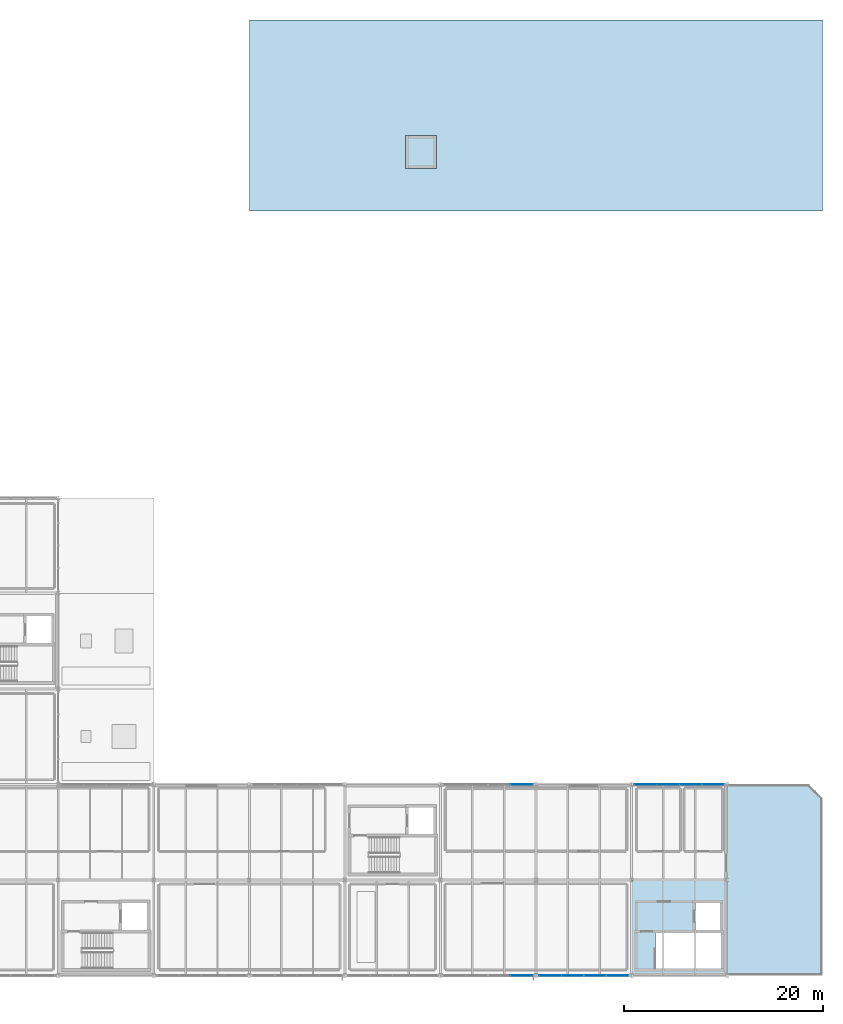
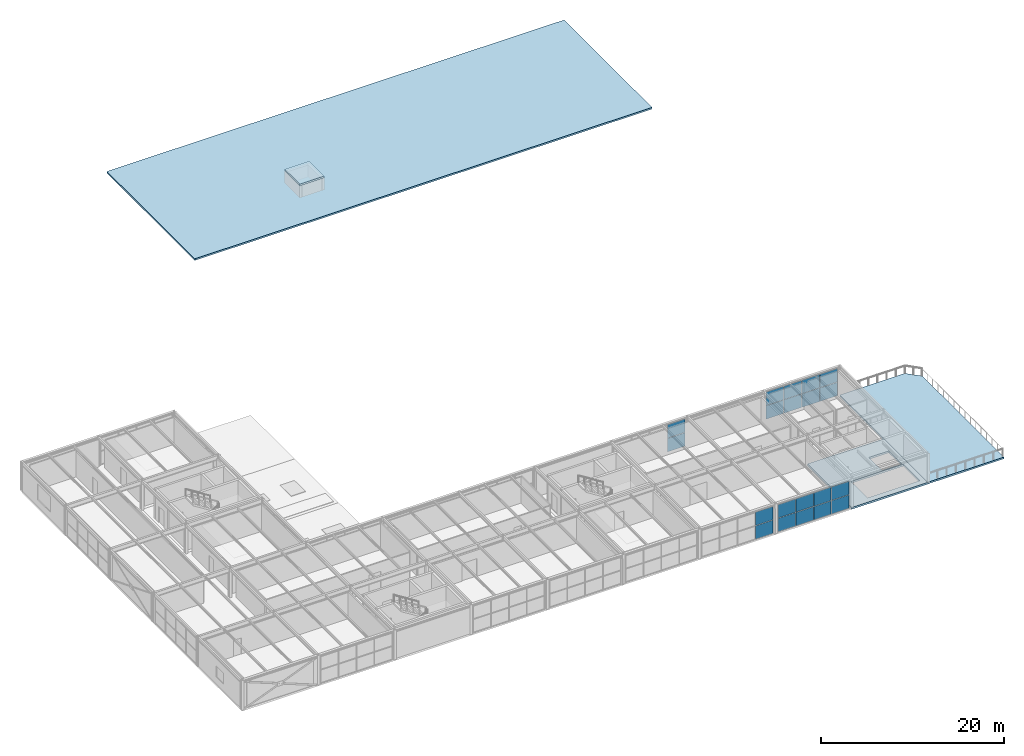
# One storey, part 40 of 50: 20 plates, 4 slabs, 4 elements without a shape of their own.
"""IFC4 building model written with IfcOpenShell, lengths in metres."""

from ifc_helpers import new_model, si_unit, direction, frame, origin, origin_2d, place, context, subcontext, project, spatial, polyline, rectangle, outline, extrude, material, layer, layer_set, type_object, element, aggregate, save


model = new_model("IFC4")

# Units and contexts
model_context = context("Model", 3, precision=1e-05, world=origin(), true_north=direction((0.0, 1.0)))
body_context = subcontext(model_context, "Body", "Model", "MODEL_VIEW")
ifc_project = project(units=[si_unit("LENGTHUNIT", "METRE"), si_unit("AREAUNIT", "SQUARE_METRE"), si_unit("VOLUMEUNIT", "CUBIC_METRE"), si_unit("PLANEANGLEUNIT", "RADIAN"), si_unit("MASSUNIT", "GRAM", prefix="KILO")], contexts=[model_context])

# Site, building, storey
site_placement = place(None, origin())
site = spatial("IfcSite", under=ifc_project, at=site_placement, CompositionType="ELEMENT")
building_placement = place(site_placement, origin())
building = spatial("IfcBuilding", under=site, at=building_placement, Name="Coralgate Yard Interchange", CompositionType="ELEMENT")
storey_placement = place(building_placement, frame((0.0, 0.0, 14.699951171875)))
storey = spatial("IfcBuildingStorey", under=building, at=storey_placement, Name="L03", CompositionType="ELEMENT", Elevation=14.699951171875)

# Curtain wall, plates
ifc_material_1 = material(Name="Anodised coastal aluminium and solar-control low-E glass", Category="aluminium")
curtain_wall_type = type_object("IfcCurtainWallType", Name="CW-CW-L03-A", PredefinedType="NOTDEFINED", material=ifc_material_1)
curtain_wall_1_placement = place(storey_placement, origin())
curtain_wall_1 = element("IfcCurtainWall", 1, at=curtain_wall_1_placement, inside=storey, type_object=curtain_wall_type, Name="L03 unitised curtain wall CW-L03-S-06-00", PredefinedType="NOTDEFINED")
ifc_material_2 = material(Name="Solar-control double-glazed low-E glass unit", Category="glass")
ifc_layer_1 = layer(ifc_material_2, 0.028076171875)
ifc_layer_set_1 = layer_set([ifc_layer_1], Name="Solar-control double-glazed low-E glass unit")
plate_type = type_object("IfcPlateType", Name="PLT-CP-28", PredefinedType="CURTAIN_PANEL", material=ifc_layer_set_1)
plate_1_placement = place(storey_placement, frame((65.77490234375, 0.0, 0.02490234375), z_axis=(0.0, 0.0, 1.0), x_axis=(-1.0, 0.0, 0.0)))
plate_1 = element("IfcPlate", 2, at=plate_1_placement, type_object=plate_type, Name="CW-L03-S-06-00 solar-control glazing panel 1-1", PredefinedType="CURTAIN_PANEL", context=body_context, shape_type="SweptSolid", body=[
    extrude(rectangle(XDim=2.199951171875, YDim=0.028076171875, at=origin_2d()), origin(), (0.0, 0.0, 1.0), 1.780029296875),
])
plate_2_placement = place(storey_placement, frame((65.77490234375, 0.0, 1.85498046875), z_axis=(0.0, 0.0, 1.0), x_axis=(-1.0, 0.0, 0.0)))
plate_2 = element("IfcPlate", 3, at=plate_2_placement, type_object=plate_type, Name="CW-L03-S-06-00 solar-control glazing panel 1-2", PredefinedType="CURTAIN_PANEL", context=body_context, shape_type="SweptSolid", body=[
    extrude(rectangle(XDim=2.199951171875, YDim=0.028076171875, at=origin_2d()), origin(), (0.0, 0.0, 1.0), 1.780029296875),
])
aggregate(curtain_wall_1, [plate_1, plate_2])

curtain_wall_2_placement = place(storey_placement, origin())
curtain_wall_2 = element("IfcCurtainWall", 4, at=curtain_wall_2_placement, inside=storey, type_object=curtain_wall_type, Name="L03 unitised curtain wall CW-L03-N-06-01", PredefinedType="NOTDEFINED")
plate_3_placement = place(storey_placement, frame((65.77490234375, 19.199951171875, 0.02490234375), z_axis=(0.0, 0.0, 1.0), x_axis=(1.0, 0.0, 0.0)))
plate_3 = element("IfcPlate", 5, at=plate_3_placement, type_object=plate_type, Name="CW-L03-N-06-01 solar-control glazing panel 4-1", PredefinedType="CURTAIN_PANEL", context=body_context, shape_type="SweptSolid", body=[
    extrude(rectangle(XDim=2.199951171875, YDim=0.028076171875, at=origin_2d()), origin(), (0.0, 0.0, 1.0), 1.780029296875),
])
plate_4_placement = place(storey_placement, frame((65.77490234375, 19.199951171875, 1.85498046875), z_axis=(0.0, 0.0, 1.0), x_axis=(1.0, 0.0, 0.0)))
plate_4 = element("IfcPlate", 6, at=plate_4_placement, type_object=plate_type, Name="CW-L03-N-06-01 solar-control glazing panel 4-2", PredefinedType="CURTAIN_PANEL", context=body_context, shape_type="SweptSolid", body=[
    extrude(rectangle(XDim=2.199951171875, YDim=0.028076171875, at=origin_2d()), origin(), (0.0, 0.0, 1.0), 1.780029296875),
])
aggregate(curtain_wall_2, [plate_3, plate_4])

curtain_wall_3_placement = place(storey_placement, origin())
curtain_wall_3 = element("IfcCurtainWall", 7, at=curtain_wall_3_placement, inside=storey, type_object=curtain_wall_type, Name="L03 unitised curtain wall CW-L03-S-07-00", PredefinedType="NOTDEFINED")
plate_5_placement = place(storey_placement, frame((75.375, 0.0, 0.02490234375), z_axis=(0.0, 0.0, 1.0), x_axis=(-1.0, 0.0, 0.0)))
plate_5 = element("IfcPlate", 8, at=plate_5_placement, type_object=plate_type, Name="CW-L03-S-07-00 solar-control glazing panel 1-1", PredefinedType="CURTAIN_PANEL", context=body_context, shape_type="SweptSolid", body=[
    extrude(rectangle(XDim=2.199951171875, YDim=0.028076171875, at=origin_2d()), origin(), (0.0, 0.0, 1.0), 1.780029296875),
])
plate_6_placement = place(storey_placement, frame((75.375, 0.0, 1.85498046875), z_axis=(0.0, 0.0, 1.0), x_axis=(-1.0, 0.0, 0.0)))
plate_6 = element("IfcPlate", 9, at=plate_6_placement, type_object=plate_type, Name="CW-L03-S-07-00 solar-control glazing panel 1-2", PredefinedType="CURTAIN_PANEL", context=body_context, shape_type="SweptSolid", body=[
    extrude(rectangle(XDim=2.199951171875, YDim=0.028076171875, at=origin_2d()), origin(), (0.0, 0.0, 1.0), 1.780029296875),
])
plate_7_placement = place(storey_placement, frame((73.125, 0.0, 0.02490234375), z_axis=(0.0, 0.0, 1.0), x_axis=(-1.0, 0.0, 0.0)))
plate_7 = element("IfcPlate", 10, at=plate_7_placement, type_object=plate_type, Name="CW-L03-S-07-00 solar-control glazing panel 2-1", PredefinedType="CURTAIN_PANEL", context=body_context, shape_type="SweptSolid", body=[
    extrude(rectangle(XDim=2.199951171875, YDim=0.028076171875, at=origin_2d()), origin(), (0.0, 0.0, 1.0), 1.780029296875),
])
plate_8_placement = place(storey_placement, frame((73.125, 0.0, 1.85498046875), z_axis=(0.0, 0.0, 1.0), x_axis=(-1.0, 0.0, 0.0)))
plate_8 = element("IfcPlate", 11, at=plate_8_placement, type_object=plate_type, Name="CW-L03-S-07-00 solar-control glazing panel 2-2", PredefinedType="CURTAIN_PANEL", context=body_context, shape_type="SweptSolid", body=[
    extrude(rectangle(XDim=2.199951171875, YDim=0.028076171875, at=origin_2d()), origin(), (0.0, 0.0, 1.0), 1.780029296875),
])
plate_9_placement = place(storey_placement, frame((70.875, 0.0, 0.02490234375), z_axis=(0.0, 0.0, 1.0), x_axis=(-1.0, 0.0, 0.0)))
plate_9 = element("IfcPlate", 12, at=plate_9_placement, type_object=plate_type, Name="CW-L03-S-07-00 solar-control glazing panel 3-1", PredefinedType="CURTAIN_PANEL", context=body_context, shape_type="SweptSolid", body=[
    extrude(rectangle(XDim=2.199951171875, YDim=0.028076171875, at=origin_2d()), origin(), (0.0, 0.0, 1.0), 1.780029296875),
])
plate_10_placement = place(storey_placement, frame((70.875, 0.0, 1.85498046875), z_axis=(0.0, 0.0, 1.0), x_axis=(-1.0, 0.0, 0.0)))
plate_10 = element("IfcPlate", 13, at=plate_10_placement, type_object=plate_type, Name="CW-L03-S-07-00 solar-control glazing panel 3-2", PredefinedType="CURTAIN_PANEL", context=body_context, shape_type="SweptSolid", body=[
    extrude(rectangle(XDim=2.199951171875, YDim=0.028076171875, at=origin_2d()), origin(), (0.0, 0.0, 1.0), 1.780029296875),
])
plate_11_placement = place(storey_placement, frame((68.625, 0.0, 0.02490234375), z_axis=(0.0, 0.0, 1.0), x_axis=(-1.0, 0.0, 0.0)))
plate_11 = element("IfcPlate", 14, at=plate_11_placement, type_object=plate_type, Name="CW-L03-S-07-00 solar-control glazing panel 4-1", PredefinedType="CURTAIN_PANEL", context=body_context, shape_type="SweptSolid", body=[
    extrude(rectangle(XDim=2.199951171875, YDim=0.028076171875, at=origin_2d()), origin(), (0.0, 0.0, 1.0), 1.780029296875),
])
plate_12_placement = place(storey_placement, frame((68.625, 0.0, 1.85498046875), z_axis=(0.0, 0.0, 1.0), x_axis=(-1.0, 0.0, 0.0)))
plate_12 = element("IfcPlate", 15, at=plate_12_placement, type_object=plate_type, Name="CW-L03-S-07-00 solar-control glazing panel 4-2", PredefinedType="CURTAIN_PANEL", context=body_context, shape_type="SweptSolid", body=[
    extrude(rectangle(XDim=2.199951171875, YDim=0.028076171875, at=origin_2d()), origin(), (0.0, 0.0, 1.0), 1.780029296875),
])
aggregate(curtain_wall_3, [plate_5, plate_6, plate_7, plate_8, plate_9, plate_10, plate_11, plate_12])

curtain_wall_4_placement = place(storey_placement, origin())
curtain_wall_4 = element("IfcCurtainWall", 16, at=curtain_wall_4_placement, inside=storey, type_object=curtain_wall_type, Name="L03 unitised curtain wall CW-L03-N-08-01", PredefinedType="NOTDEFINED")
plate_13_placement = place(storey_placement, frame((78.22509765625, 19.199951171875, 0.02490234375), z_axis=(0.0, 0.0, 1.0), x_axis=(1.0, 0.0, 0.0)))
plate_13 = element("IfcPlate", 17, at=plate_13_placement, type_object=plate_type, Name="CW-L03-N-08-01 solar-control glazing panel 1-1", PredefinedType="CURTAIN_PANEL", context=body_context, shape_type="SweptSolid", body=[
    extrude(rectangle(XDim=2.199951171875, YDim=0.028076171875, at=origin_2d()), origin(), (0.0, 0.0, 1.0), 1.780029296875),
])
plate_14_placement = place(storey_placement, frame((78.22509765625, 19.199951171875, 1.85498046875), z_axis=(0.0, 0.0, 1.0), x_axis=(1.0, 0.0, 0.0)))
plate_14 = element("IfcPlate", 18, at=plate_14_placement, type_object=plate_type, Name="CW-L03-N-08-01 solar-control glazing panel 1-2", PredefinedType="CURTAIN_PANEL", context=body_context, shape_type="SweptSolid", body=[
    extrude(rectangle(XDim=2.199951171875, YDim=0.028076171875, at=origin_2d()), origin(), (0.0, 0.0, 1.0), 1.780029296875),
])
plate_15_placement = place(storey_placement, frame((80.47509765625, 19.199951171875, 0.02490234375), z_axis=(0.0, 0.0, 1.0), x_axis=(1.0, 0.0, 0.0)))
plate_15 = element("IfcPlate", 19, at=plate_15_placement, type_object=plate_type, Name="CW-L03-N-08-01 solar-control glazing panel 2-1", PredefinedType="CURTAIN_PANEL", context=body_context, shape_type="SweptSolid", body=[
    extrude(rectangle(XDim=2.199951171875, YDim=0.028076171875, at=origin_2d()), origin(), (0.0, 0.0, 1.0), 1.780029296875),
])
plate_16_placement = place(storey_placement, frame((80.47509765625, 19.199951171875, 1.85498046875), z_axis=(0.0, 0.0, 1.0), x_axis=(1.0, 0.0, 0.0)))
plate_16 = element("IfcPlate", 20, at=plate_16_placement, type_object=plate_type, Name="CW-L03-N-08-01 solar-control glazing panel 2-2", PredefinedType="CURTAIN_PANEL", context=body_context, shape_type="SweptSolid", body=[
    extrude(rectangle(XDim=2.199951171875, YDim=0.028076171875, at=origin_2d()), origin(), (0.0, 0.0, 1.0), 1.780029296875),
])
plate_17_placement = place(storey_placement, frame((82.72509765625, 19.199951171875, 0.02490234375), z_axis=(0.0, 0.0, 1.0), x_axis=(1.0, 0.0, 0.0)))
plate_17 = element("IfcPlate", 21, at=plate_17_placement, type_object=plate_type, Name="CW-L03-N-08-01 solar-control glazing panel 3-1", PredefinedType="CURTAIN_PANEL", context=body_context, shape_type="SweptSolid", body=[
    extrude(rectangle(XDim=2.199951171875, YDim=0.028076171875, at=origin_2d()), origin(), (0.0, 0.0, 1.0), 1.780029296875),
])
plate_18_placement = place(storey_placement, frame((82.72509765625, 19.199951171875, 1.85498046875), z_axis=(0.0, 0.0, 1.0), x_axis=(1.0, 0.0, 0.0)))
plate_18 = element("IfcPlate", 22, at=plate_18_placement, type_object=plate_type, Name="CW-L03-N-08-01 solar-control glazing panel 3-2", PredefinedType="CURTAIN_PANEL", context=body_context, shape_type="SweptSolid", body=[
    extrude(rectangle(XDim=2.199951171875, YDim=0.028076171875, at=origin_2d()), origin(), (0.0, 0.0, 1.0), 1.780029296875),
])
plate_19_placement = place(storey_placement, frame((84.97509765625, 19.199951171875, 0.02490234375), z_axis=(0.0, 0.0, 1.0), x_axis=(1.0, 0.0, 0.0)))
plate_19 = element("IfcPlate", 23, at=plate_19_placement, type_object=plate_type, Name="CW-L03-N-08-01 solar-control glazing panel 4-1", PredefinedType="CURTAIN_PANEL", context=body_context, shape_type="SweptSolid", body=[
    extrude(rectangle(XDim=2.199951171875, YDim=0.028076171875, at=origin_2d()), origin(), (0.0, 0.0, 1.0), 1.780029296875),
])
plate_20_placement = place(storey_placement, frame((84.97509765625, 19.199951171875, 1.85498046875), z_axis=(0.0, 0.0, 1.0), x_axis=(1.0, 0.0, 0.0)))
plate_20 = element("IfcPlate", 24, at=plate_20_placement, type_object=plate_type, Name="CW-L03-N-08-01 solar-control glazing panel 4-2", PredefinedType="CURTAIN_PANEL", context=body_context, shape_type="SweptSolid", body=[
    extrude(rectangle(XDim=2.199951171875, YDim=0.028076171875, at=origin_2d()), origin(), (0.0, 0.0, 1.0), 1.780029296875),
])
aggregate(curtain_wall_4, [plate_13, plate_14, plate_15, plate_16, plate_17, plate_18, plate_19, plate_20])

# Slabs
ifc_material_3 = material(Name="Concrete C40/50", Category="concrete")
ifc_layer_2 = layer(ifc_material_3, 0.239990234375)
ifc_layer_set_2 = layer_set([ifc_layer_2], Name="Concrete C40/50")
slab_type_1 = type_object("IfcSlabType", Name="SLB-CAP240", PredefinedType="ROOF", material=ifc_layer_set_2)
slab_1_placement = place(storey_placement, frame((0.0, 0.0, 1.60009765625)))
element("IfcSlab", 25, at=slab_1_placement, inside=storey, type_object=slab_type_1, Name="LF-03 lift overrun roof slab", PredefinedType="ROOF", context=body_context, shape_type="SweptSolid", body=[
    extrude(outline(polyline([(54.10009765625, 81.10009765625), (57.199951171875, 81.10009765625), (57.199951171875, 84.39990234375), (54.10009765625, 84.39990234375), (54.10009765625, 81.10009765625)])), origin(), (0.0, 0.0, 1.0), 0.239990234375),
])
ifc_layer_3 = layer(ifc_material_3, 0.25)
ifc_layer_set_3 = layer_set([ifc_layer_3], Name="Concrete C40/50")
slab_type_2 = type_object("IfcSlabType", Name="SLB-SL-FLR250", PredefinedType="FLOOR", material=ifc_layer_set_3)
slab_2_placement = place(storey_placement, frame((0.0, 0.0, -0.25)))
element("IfcSlab", 26, at=slab_2_placement, inside=storey, type_object=slab_type_2, Name="L03 core C4 structural floor slab", PredefinedType="FLOOR", context=body_context, shape_type="SweptSolid", body=[
    extrude(outline(polyline([(86.39990234375, 9.60009765625), (86.39990234375, 0.0), (76.800048828125, 0.0), (76.800048828125, 9.60009765625), (86.39990234375, 9.60009765625)]), holes=[polyline([(85.800048828125, 4.31005859375), (79.219970703125, 4.31005859375), (79.219970703125, 0.719970703125), (85.800048828125, 0.719970703125), (85.800048828125, 4.31005859375)]), polyline([(85.699951171875, 4.449951171875), (85.699951171875, 7.300048828125), (83.199951171875, 7.300048828125), (83.199951171875, 4.449951171875), (85.699951171875, 4.449951171875)])]), origin(), (0.0, 0.0, 1.0), 0.25),
])
ifc_layer_4 = layer(ifc_material_3, 0.219970703125)
ifc_layer_set_4 = layer_set([ifc_layer_4], Name="Concrete C40/50")
slab_type_3 = type_object("IfcSlabType", Name="SLB-SL-RF220", PredefinedType="ROOF", material=ifc_layer_set_4)
slab_3_placement = place(storey_placement, frame((0.0, 0.0, -0.219970703125)))
element("IfcSlab", 27, at=slab_3_placement, inside=storey, type_object=slab_type_3, Name="L03 insulated flat concrete roof over L02", PredefinedType="ROOF", context=body_context, shape_type="SweptSolid", body=[
    extrude(outline(polyline([(38.39990234375, 76.800048828125), (38.39990234375, 86.39990234375), (38.39990234375, 96.0), (48.0, 96.0), (57.60009765625, 96.0), (67.199951171875, 96.0), (76.800048828125, 96.0), (86.39990234375, 96.0), (96.0, 96.0), (96.0, 86.39990234375), (96.0, 76.800048828125), (86.39990234375, 76.800048828125), (76.800048828125, 76.800048828125), (67.199951171875, 76.800048828125), (57.60009765625, 76.800048828125), (48.0, 76.800048828125), (38.39990234375, 76.800048828125)])), origin(), (0.0, 0.0, 1.0), 0.219970703125),
])
ifc_layer_5 = layer(ifc_material_3, 0.22998046875)
ifc_layer_set_5 = layer_set([ifc_layer_5], Name="Concrete C40/50")
slab_type_4 = type_object("IfcSlabType", Name="SLB-SL-TER230", PredefinedType="FLOOR", material=ifc_layer_set_5)
slab_4_placement = place(storey_placement, frame((0.0, 0.0, -0.22998046875)))
element("IfcSlab", 28, at=slab_4_placement, inside=storey, type_object=slab_type_4, Name="L03 shaded coastal veranda terrace slab", PredefinedType="FLOOR", context=body_context, shape_type="SweptSolid", body=[
    extrude(outline(polyline([(86.39990234375, 0.0), (86.39990234375, 9.60009765625), (86.39990234375, 19.199951171875), (94.60009765625, 19.199951171875), (96.0, 17.800048828125), (96.0, 9.60009765625), (96.0, 0.0), (86.39990234375, 0.0)])), origin(), (0.0, 0.0, 1.0), 0.22998046875),
])

save(model, "model.ifc")
